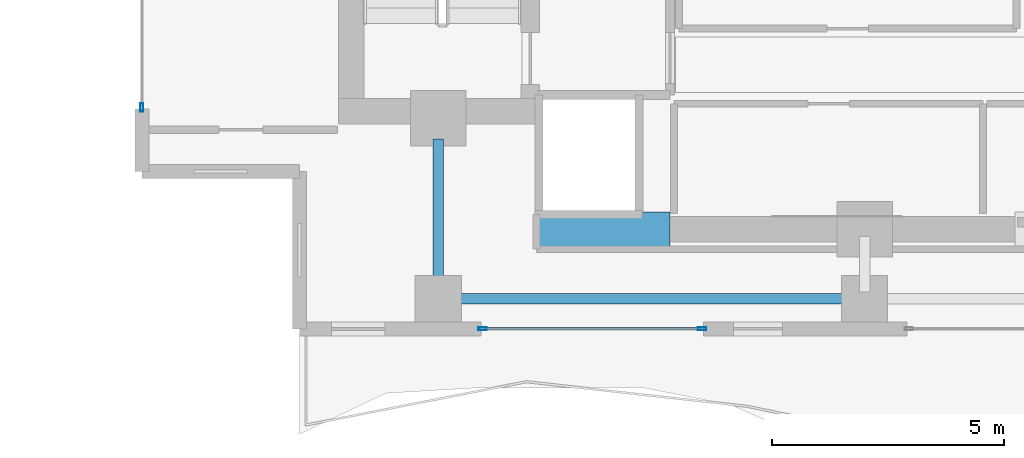
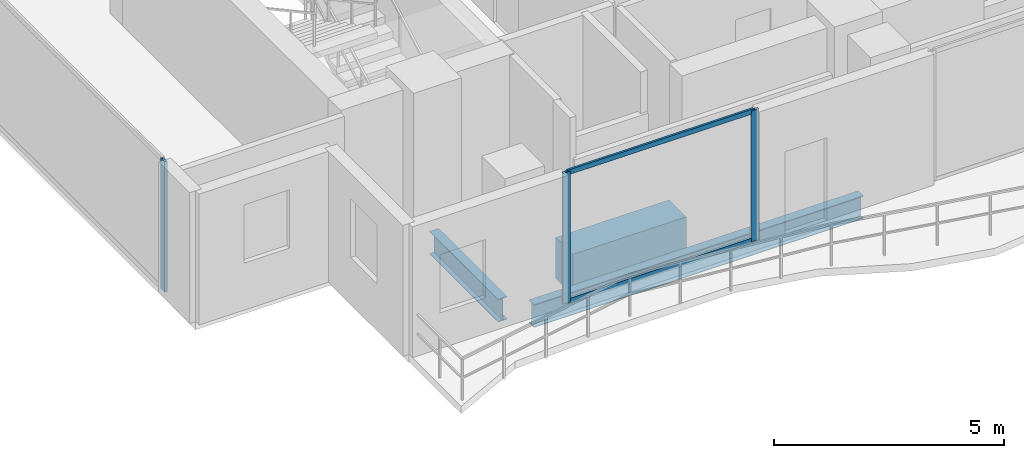
# One storey, part 2 of 24: 5 members, 3 beams, 2 elements without a shape of their own.
"""IFC4 building model written with IfcOpenShell, lengths in metres."""

from ifc_helpers import new_model, si_unit, direction, frame, origin, origin_2d, place, context, subcontext, project, spatial, rectangle, hollow_rectangle, i_section, extrude, material, layer, layer_set, material_profile, profile_set, type_object, element, aggregate, save


model = new_model("IFC4")

# Units and contexts
model_context = context("Model", 3, precision=1e-05, world=origin(), true_north=direction((0.0, 1.0)))
body_context = subcontext(model_context, "Body", "Model", "MODEL_VIEW")
ifc_project = project(units=[si_unit("LENGTHUNIT", "METRE"), si_unit("AREAUNIT", "SQUARE_METRE"), si_unit("VOLUMEUNIT", "CUBIC_METRE"), si_unit("PLANEANGLEUNIT", "RADIAN"), si_unit("MASSUNIT", "GRAM", prefix="KILO")], contexts=[model_context])

# Site, building, storey
site_placement = place(None, origin())
site = spatial("IfcSite", under=ifc_project, at=site_placement, CompositionType="ELEMENT")
building_placement = place(site_placement, origin())
building = spatial("IfcBuilding", under=site, at=building_placement, Name="Zuhayl Quay Hotel", CompositionType="ELEMENT")
storey_placement = place(building_placement, frame((0.0, 0.0, 276.64990234375)))
storey = spatial("IfcBuildingStorey", under=building, at=storey_placement, Name="L70", CompositionType="ELEMENT", Elevation=276.64990234375)

# Beams
ifc_material_1 = material(Name="Steel ASTM A992 Grade 50", Category="steel")
ifc_material_profile_1 = material_profile(ifc_material_1, i_section(OverallWidth=0.22802734375, OverallDepth=0.60693359375, WebThickness=0.01123046875, FlangeThickness=0.017333984375, at=origin_2d()), Name="W24X76")
ifc_profile_set_1 = profile_set([ifc_material_profile_1], Name="Steel ASTM A992 Grade 50")
beam_type_1 = type_object("IfcBeamType", Name="BM_B3_W24X76", PredefinedType="BEAM", material=ifc_profile_set_1)
beam_1_placement = place(storey_placement, frame((-13.340087890625, 0.64990234375, -0.5234375), z_axis=(1.0, 0.0, 0.0), x_axis=(0.0, 1.0, 0.0)))
element("IfcBeam", 1, at=beam_1_placement, inside=storey, type_object=beam_type_1, Name="L70 Floor Beam RG_L70_01", PredefinedType="BEAM", context=body_context, shape_type="SweptSolid", body=[
    extrude(i_section(OverallWidth=0.22802734375, OverallDepth=0.60693359375, WebThickness=0.01123046875, FlangeThickness=0.017333984375, at=origin_2d()), origin(), (0.0, 0.0, 1.0), 8.280029296875),
])
beam_2_placement = place(storey_placement, frame((-13.800048828125, 1.110107421875, -0.5234375), z_axis=(0.0, 1.0, 0.0), x_axis=(-1.0, 0.0, 0.0)))
element("IfcBeam", 2, at=beam_2_placement, inside=storey, type_object=beam_type_1, Name="L70 Floor Beam FG_S_L70_1", PredefinedType="BEAM", context=body_context, shape_type="SweptSolid", body=[
    extrude(i_section(OverallWidth=0.22802734375, OverallDepth=0.60693359375, WebThickness=0.01123046875, FlangeThickness=0.017333984375, at=origin_2d()), origin(), (0.0, 0.0, 1.0), 2.989990234375),
])
ifc_material_2 = material(Name="Concrete C60/75", Category="concrete")
ifc_material_profile_2 = material_profile(ifc_material_2, rectangle(XDim=0.75, YDim=1.10009765625, at=origin_2d()), Name="RC750X1100")
ifc_profile_set_2 = profile_set([ifc_material_profile_2], Name="Concrete C60/75")
beam_type_2 = type_object("IfcBeamType", Name="BM_CB2_RC750", PredefinedType="T_BEAM", material=ifc_profile_set_2)
beam_3_placement = place(storey_placement, frame((-11.64990234375, 2.14990234375, -0.77001953125), z_axis=(1.0, 0.0, 0.0), x_axis=(0.0, 1.0, 0.0)))
element("IfcBeam", 3, at=beam_3_placement, inside=storey, type_object=beam_type_2, Name="L70 Core Coupling Beam SW", PredefinedType="T_BEAM", context=body_context, shape_type="SweptSolid", body=[
    extrude(rectangle(XDim=0.75, YDim=1.10009765625, at=origin_2d()), origin(), (0.0, 0.0, 1.0), 2.849853515625),
])

# Curtain wall, member
ifc_material_3 = material(Name="Anodised Aluminium 6063-T6", Category="aluminium")
ifc_layer = layer(ifc_material_3, 0.169921875, Name="Anodised Aluminium 6063-T6", Category="aluminium")
ifc_layer_set = layer_set([ifc_layer], Name="Anodised Aluminium 6063-T6")
curtain_wall_type = type_object("IfcCurtainWallType", Name="CW_SYS_Z4", PredefinedType="USERDEFINED", material=ifc_layer_set)
curtain_wall_1_placement = place(storey_placement, origin())
curtain_wall_1 = element("IfcCurtainWall", 4, at=curtain_wall_1_placement, inside=storey, type_object=curtain_wall_type, Name="L70 Curtain Wall ENV_L70_E02_CW1", ObjectType="UNITISED CURTAIN WALL", PredefinedType="USERDEFINED")
ifc_material_4 = material(Name="Black-anodised aluminium 6063-T6", Category="aluminium")
ifc_material_profile_3 = material_profile(ifc_material_4, hollow_rectangle(XDim=0.06494140625, YDim=0.179931640625, WallThickness=0.00341796875, at=origin_2d()), Name="ALU180X65")
ifc_profile_set_3 = profile_set([ifc_material_profile_3], Name="Black-anodised aluminium 6063-T6")
member_type_1 = type_object("IfcMemberType", Name="MB_CW_MUL_180", PredefinedType="MULLION", material=ifc_profile_set_3)
member_1_placement = place(storey_placement, frame((-20.199951171875, 4.782470703125, 0.0), z_axis=(0.0, 0.0, 1.0), x_axis=(-1.0, 0.0, 0.0)))
member_1 = element("IfcMember", 5, at=member_1_placement, type_object=member_type_1, Name="CW-Z4 mullion 1", PredefinedType="MULLION", context=body_context, shape_type="SweptSolid", body=[
    extrude(hollow_rectangle(XDim=0.06494140625, YDim=0.179931640625, WallThickness=0.00341796875, at=origin_2d()), origin(), (0.0, 0.0, 1.0), 3.47998046875),
])
aggregate(curtain_wall_1, [member_1])

# Curtain wall, members
curtain_wall_2_placement = place(storey_placement, origin())
curtain_wall_2 = element("IfcCurtainWall", 6, at=curtain_wall_2_placement, inside=storey, type_object=curtain_wall_type, Name="L70 Curtain Wall ENV_L70_S_CW4", ObjectType="UNITISED CURTAIN WALL", PredefinedType="USERDEFINED")
member_2_placement = place(storey_placement, frame((-8.107421875, 0.0, 0.0), z_axis=(0.0, 0.0, 1.0), x_axis=(0.0, -1.0, 0.0)))
member_2 = element("IfcMember", 7, at=member_2_placement, type_object=member_type_1, Name="CW-Z4 mullion 1", PredefinedType="MULLION", context=body_context, shape_type="SweptSolid", body=[
    extrude(hollow_rectangle(XDim=0.06494140625, YDim=0.179931640625, WallThickness=0.00341796875, at=origin_2d()), origin(), (0.0, 0.0, 1.0), 3.47998046875),
])
member_3_placement = place(storey_placement, frame((-12.847412109375, 0.0, 0.0), z_axis=(0.0, 0.0, 1.0), x_axis=(0.0, -1.0, 0.0)))
member_3 = element("IfcMember", 8, at=member_3_placement, type_object=member_type_1, Name="CW-Z4 mullion 2", PredefinedType="MULLION", context=body_context, shape_type="SweptSolid", body=[
    extrude(hollow_rectangle(XDim=0.06494140625, YDim=0.179931640625, WallThickness=0.00341796875, at=origin_2d()), origin(), (0.0, 0.0, 1.0), 3.47998046875),
])
ifc_material_profile_4 = material_profile(ifc_material_4, hollow_rectangle(XDim=0.054931640625, YDim=0.1298828125, WallThickness=0.0029296875, at=origin_2d()), Name="ALU130X55")
ifc_profile_set_4 = profile_set([ifc_material_profile_4], Name="Black-anodised aluminium 6063-T6")
member_type_2 = type_object("IfcMemberType", Name="MB_CW_TRN_130", PredefinedType="USERDEFINED", material=ifc_profile_set_4)
member_4_placement = place(storey_placement, frame((-8.139892578125, 0.0, 0.027587890625), z_axis=(-1.0, 0.0, 0.0), x_axis=(0.0, -1.0, 0.0)))
member_4 = element("IfcMember", 9, at=member_4_placement, type_object=member_type_2, Name="CW-Z4 transom 1.1", ObjectType="TRANSOM", PredefinedType="USERDEFINED", context=body_context, shape_type="SweptSolid", body=[
    extrude(hollow_rectangle(XDim=0.054931640625, YDim=0.1298828125, WallThickness=0.0029296875, at=origin_2d()), origin(), (0.0, 0.0, 1.0), 4.675048828125),
])
member_5_placement = place(storey_placement, frame((-8.139892578125, 0.0, 3.45263671875), z_axis=(-1.0, 0.0, 0.0), x_axis=(0.0, -1.0, 0.0)))
member_5 = element("IfcMember", 10, at=member_5_placement, type_object=member_type_2, Name="CW-Z4 transom 1.2", ObjectType="TRANSOM", PredefinedType="USERDEFINED", context=body_context, shape_type="SweptSolid", body=[
    extrude(hollow_rectangle(XDim=0.054931640625, YDim=0.1298828125, WallThickness=0.0029296875, at=origin_2d()), origin(), (0.0, 0.0, 1.0), 4.675048828125),
])
aggregate(curtain_wall_2, [member_2, member_3, member_4, member_5])

save(model, "model.ifc")
